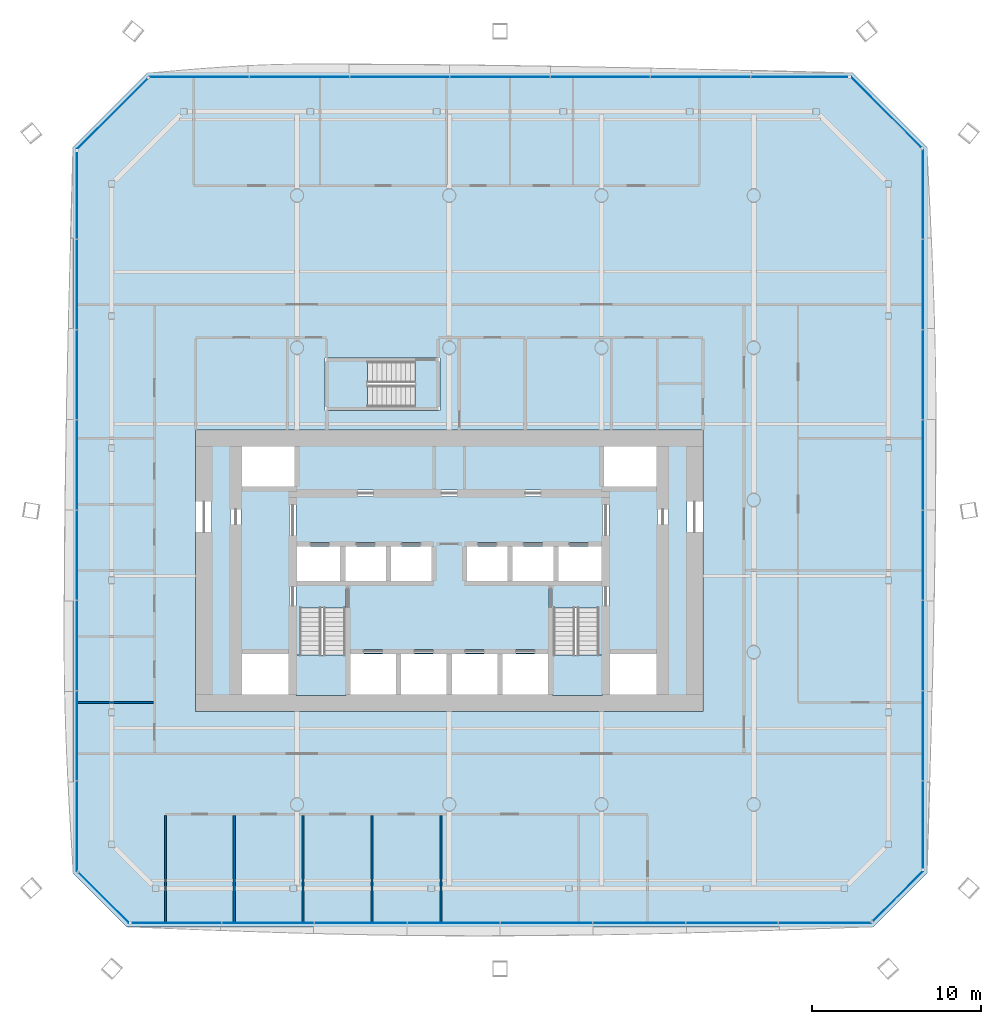
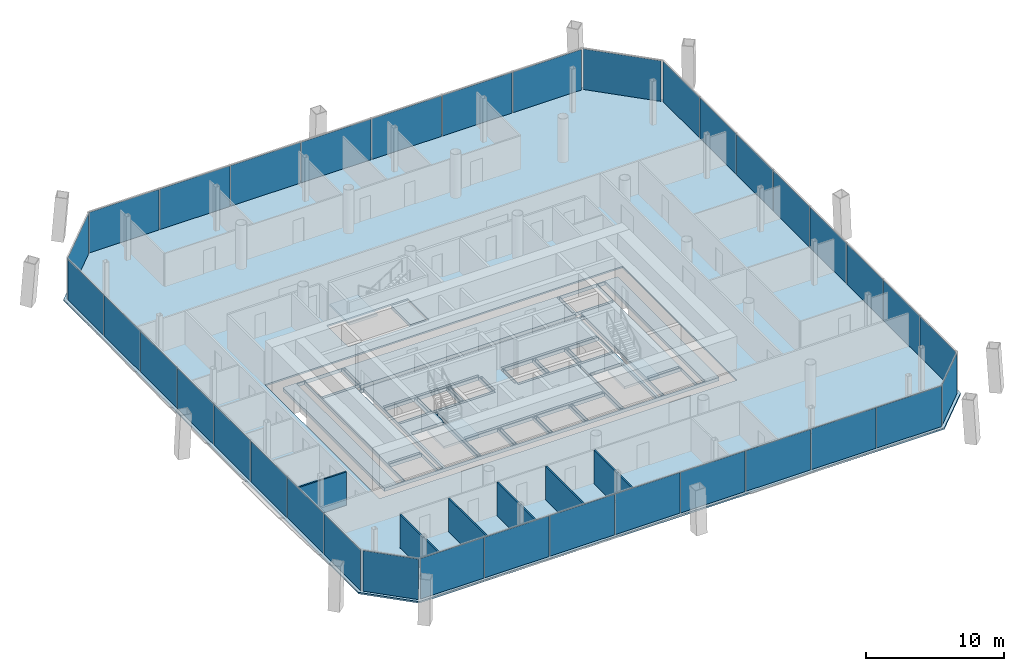
# One storey, part 10 of 19: 35 plates, 6 slabs, 6 walls, 11 elements without a shape of their own.
"""IFC4 building model written with IfcOpenShell, lengths in metres."""

from ifc_helpers import new_model, si_unit, direction, frame, frame_2d, origin, origin_2d, place, context, subcontext, project, spatial, polyline, rectangle, outline, extrude, material, layer, layer_set, type_object, element, aggregate, save


model = new_model("IFC4")

# Units and contexts
model_context = context("Model", 3, precision=1e-05, world=origin(), true_north=direction((0.0, 1.0)))
body_context = subcontext(model_context, "Body", "Model", "MODEL_VIEW")
ifc_project = project(units=[si_unit("LENGTHUNIT", "METRE"), si_unit("AREAUNIT", "SQUARE_METRE"), si_unit("VOLUMEUNIT", "CUBIC_METRE"), si_unit("PLANEANGLEUNIT", "RADIAN"), si_unit("MASSUNIT", "GRAM", prefix="KILO")], contexts=[model_context])

# Site, building, storey
site_placement = place(None, origin())
site = spatial("IfcSite", under=ifc_project, at=site_placement, CompositionType="ELEMENT")
building_placement = place(site_placement, origin())
building = spatial("IfcBuilding", under=site, at=building_placement, Name="Tskaro Facet Tower", CompositionType="ELEMENT")
storey_placement = place(building_placement, frame((0.0, 0.0, 81.60009765625)))
storey = spatial("IfcBuildingStorey", under=building, at=storey_placement, Name="L19", CompositionType="ELEMENT", Elevation=81.60009765625)

# Slab
ifc_material_1 = material(Name="Concrete C30/37", Category="concrete")
ifc_layer_1 = layer(ifc_material_1, 0.139892578125, Name="Concrete C30/37")
ifc_layer_set_1 = layer_set([ifc_layer_1], Name="Concrete C30/37")
slab_type_1 = type_object("IfcSlabType", Name="Composite deck floor slab", PredefinedType="FLOOR", material=ifc_layer_set_1)
slab_1_placement = place(storey_placement, frame((0.0, 0.0, -0.14013671875)))
element("IfcSlab", 1, at=slab_1_placement, inside=storey, type_object=slab_type_1, Name="Floor slab FS3 L19", PredefinedType="FLOOR", context=body_context, shape_type="SweptSolid", body=[
    extrude(outline(polyline([(-19.04296875, -25.260986328125), (25.04296875, -25.260986328125), (28.260986328125, -22.04296875), (28.260986328125, 20.847900390625), (23.847900390625, 25.260986328125), (-17.847900390625, 25.260986328125), (-22.260986328125, 20.847900390625), (-22.260986328125, -22.04296875), (-19.04296875, -25.260986328125)]), holes=[polyline([(-15.0, -12.5), (15.0, -12.5), (15.0, 4.14990234375), (-15.0, 4.14990234375), (-15.0, -12.5)]), polyline([(-7.35009765625, 5.300048828125), (-0.550048828125, 5.300048828125), (-0.550048828125, 8.39990234375), (-7.35009765625, 8.39990234375), (-7.35009765625, 5.300048828125)])]), origin(), (0.0, 0.0, 1.0), 0.14013671875),
])

# Curtain wall, plates
ifc_material_2 = material(Name="Bronze anodised aluminium 6063-T6", Category="aluminium")
curtain_wall_type = type_object("IfcCurtainWallType", Name="Bronze office curtain wall (FW1)", PredefinedType="NOTDEFINED", material=ifc_material_2)
curtain_wall_1_placement = place(storey_placement, origin())
curtain_wall_1 = element("IfcCurtainWall", 2, at=curtain_wall_1_placement, inside=storey, type_object=curtain_wall_type, Name="FW1 south facet L19", PredefinedType="NOTDEFINED")
ifc_material_3 = material(Name="Bronze tinted glass", Category="glass")
ifc_layer_2 = layer(ifc_material_3, 0.031982421875, Name="Bronze tinted glass")
ifc_layer_set_2 = layer_set([ifc_layer_2], Name="Bronze tinted glass")
plate_type = type_object("IfcPlateType", Name="FW1 bronze-tinted unit glazing 32", PredefinedType="CURTAIN_PANEL", material=ifc_layer_set_2)
plate_1_placement = place(storey_placement, frame((-16.131591796875, -25.010986328125, -0.000244140625), z_axis=(0.0, 0.0, 1.0), x_axis=(1.0, 0.0, 0.0)))
plate_1 = element("IfcPlate", 3, at=plate_1_placement, type_object=plate_type, Name="FW1 south glazing 1.1", PredefinedType="CURTAIN_PANEL", context=body_context, shape_type="SweptSolid", body=[
    extrude(rectangle(XDim=5.294677734375, YDim=0.031982421875, at=origin_2d()), origin(), (0.0, 0.0, 1.0), 3.60009765625),
])
plate_2_placement = place(storey_placement, frame((-10.7119140625, -25.010986328125, -0.000244140625), z_axis=(0.0, 0.0, 1.0), x_axis=(1.0, 0.0, 0.0)))
plate_2 = element("IfcPlate", 4, at=plate_2_placement, type_object=plate_type, Name="FW1 south glazing 2.1", PredefinedType="CURTAIN_PANEL", context=body_context, shape_type="SweptSolid", body=[
    extrude(rectangle(XDim=5.4248046875, YDim=0.031982421875, at=origin_2d()), origin(), (0.0, 0.0, 1.0), 3.60009765625),
])
plate_3_placement = place(storey_placement, frame((-5.22705078125, -25.010986328125, -0.000244140625), z_axis=(0.0, 0.0, 1.0), x_axis=(1.0, 0.0, 0.0)))
plate_3 = element("IfcPlate", 5, at=plate_3_placement, type_object=plate_type, Name="FW1 south glazing 3.1", PredefinedType="CURTAIN_PANEL", context=body_context, shape_type="SweptSolid", body=[
    extrude(rectangle(XDim=5.4248046875, YDim=0.031982421875, at=origin_2d()), origin(), (0.0, 0.0, 1.0), 3.60009765625),
])
plate_4_placement = place(storey_placement, frame((0.257568359375, -25.010986328125, -0.000244140625), z_axis=(0.0, 0.0, 1.0), x_axis=(1.0, 0.0, 0.0)))
plate_4 = element("IfcPlate", 6, at=plate_4_placement, type_object=plate_type, Name="FW1 south glazing 4.1", PredefinedType="CURTAIN_PANEL", context=body_context, shape_type="SweptSolid", body=[
    extrude(rectangle(XDim=5.4248046875, YDim=0.031982421875, at=origin_2d()), origin(), (0.0, 0.0, 1.0), 3.60009765625),
])
plate_5_placement = place(storey_placement, frame((5.742431640625, -25.010986328125, -0.000244140625), z_axis=(0.0, 0.0, 1.0), x_axis=(1.0, 0.0, 0.0)))
plate_5 = element("IfcPlate", 7, at=plate_5_placement, type_object=plate_type, Name="FW1 south glazing 5.1", PredefinedType="CURTAIN_PANEL", context=body_context, shape_type="SweptSolid", body=[
    extrude(rectangle(XDim=5.4248046875, YDim=0.031982421875, at=origin_2d()), origin(), (0.0, 0.0, 1.0), 3.60009765625),
])
plate_6_placement = place(storey_placement, frame((11.22705078125, -25.010986328125, -0.000244140625), z_axis=(0.0, 0.0, 1.0), x_axis=(1.0, 0.0, 0.0)))
plate_6 = element("IfcPlate", 8, at=plate_6_placement, type_object=plate_type, Name="FW1 south glazing 6.1", PredefinedType="CURTAIN_PANEL", context=body_context, shape_type="SweptSolid", body=[
    extrude(rectangle(XDim=5.4248046875, YDim=0.031982421875, at=origin_2d()), origin(), (0.0, 0.0, 1.0), 3.60009765625),
])
plate_7_placement = place(storey_placement, frame((16.7119140625, -25.010986328125, -0.000244140625), z_axis=(0.0, 0.0, 1.0), x_axis=(1.0, 0.0, 0.0)))
plate_7 = element("IfcPlate", 9, at=plate_7_placement, type_object=plate_type, Name="FW1 south glazing 7.1", PredefinedType="CURTAIN_PANEL", context=body_context, shape_type="SweptSolid", body=[
    extrude(rectangle(XDim=5.4248046875, YDim=0.031982421875, at=origin_2d()), origin(), (0.0, 0.0, 1.0), 3.60009765625),
])
plate_8_placement = place(storey_placement, frame((22.211669921875, -25.010986328125, -0.000244140625), z_axis=(0.0, 0.0, 1.0), x_axis=(1.0, 0.0, 0.0)))
plate_8 = element("IfcPlate", 10, at=plate_8_placement, type_object=plate_type, Name="FW1 south glazing 8.1", PredefinedType="CURTAIN_PANEL", context=body_context, shape_type="SweptSolid", body=[
    extrude(rectangle(XDim=5.454833984375, YDim=0.031982421875, at=origin_2d()), origin(), (0.0, 0.0, 1.0), 3.60009765625),
])
aggregate(curtain_wall_1, [plate_1, plate_2, plate_3, plate_4, plate_5, plate_6, plate_7, plate_8])

# Curtain wall, plate
curtain_wall_2_placement = place(storey_placement, origin())
curtain_wall_2 = element("IfcCurtainWall", 11, at=curtain_wall_2_placement, inside=storey, type_object=curtain_wall_type, Name="FW1 south-east facet L19", PredefinedType="NOTDEFINED")
plate_9_placement = place(storey_placement, frame((26.531494140625, -23.41845703125, -0.000244140625), z_axis=(0.0, 0.0, 1.0), x_axis=(0.707106781187, 0.707106781187, 0.0)))
plate_9 = element("IfcPlate", 12, at=plate_9_placement, type_object=plate_type, Name="FW1 south-east glazing 1.1", PredefinedType="CURTAIN_PANEL", context=body_context, shape_type="SweptSolid", body=[
    extrude(rectangle(XDim=4.1845703125, YDim=0.031982421875, at=origin_2d()), origin(), (0.0, 0.0, 1.0), 3.60009765625),
])
aggregate(curtain_wall_2, [plate_9])

# Curtain wall, plates
curtain_wall_3_placement = place(storey_placement, origin())
curtain_wall_3 = element("IfcCurtainWall", 13, at=curtain_wall_3_placement, inside=storey, type_object=curtain_wall_type, Name="FW1 east facet L19", PredefinedType="NOTDEFINED")
plate_10_placement = place(storey_placement, frame((28.010986328125, -19.206298828125, -0.000244140625), z_axis=(0.0, 0.0, 1.0), x_axis=(0.0, 1.0, 0.0)))
plate_10 = element("IfcPlate", 14, at=plate_10_placement, type_object=plate_type, Name="FW1 east glazing 1.1", PredefinedType="CURTAIN_PANEL", context=body_context, shape_type="SweptSolid", body=[
    extrude(rectangle(XDim=5.145263671875, YDim=0.031982421875, at=origin_2d()), origin(), (0.0, 0.0, 1.0), 3.60009765625),
])
plate_11_placement = place(storey_placement, frame((28.010986328125, -13.93603515625, -0.000244140625), z_axis=(0.0, 0.0, 1.0), x_axis=(0.0, 1.0, 0.0)))
plate_11 = element("IfcPlate", 15, at=plate_11_placement, type_object=plate_type, Name="FW1 east glazing 2.1", PredefinedType="CURTAIN_PANEL", context=body_context, shape_type="SweptSolid", body=[
    extrude(rectangle(XDim=5.275390625, YDim=0.031982421875, at=origin_2d()), origin(), (0.0, 0.0, 1.0), 3.60009765625),
])
plate_12_placement = place(storey_placement, frame((28.010986328125, -8.6005859375, -0.000244140625), z_axis=(0.0, 0.0, 1.0), x_axis=(0.0, 1.0, 0.0)))
plate_12 = element("IfcPlate", 16, at=plate_12_placement, type_object=plate_type, Name="FW1 east glazing 3.1", PredefinedType="CURTAIN_PANEL", context=body_context, shape_type="SweptSolid", body=[
    extrude(rectangle(XDim=5.275390625, YDim=0.031982421875, at=origin_2d()), origin(), (0.0, 0.0, 1.0), 3.60009765625),
])
plate_13_placement = place(storey_placement, frame((28.010986328125, -3.26513671875, -0.000244140625), z_axis=(0.0, 0.0, 1.0), x_axis=(0.0, 1.0, 0.0)))
plate_13 = element("IfcPlate", 17, at=plate_13_placement, type_object=plate_type, Name="FW1 east glazing 4.1", PredefinedType="CURTAIN_PANEL", context=body_context, shape_type="SweptSolid", body=[
    extrude(rectangle(XDim=5.275390625, YDim=0.031982421875, at=origin_2d()), origin(), (0.0, 0.0, 1.0), 3.60009765625),
])
plate_14_placement = place(storey_placement, frame((28.010986328125, 2.070068359375, -0.000244140625), z_axis=(0.0, 0.0, 1.0), x_axis=(0.0, 1.0, 0.0)))
plate_14 = element("IfcPlate", 18, at=plate_14_placement, type_object=plate_type, Name="FW1 east glazing 5.1", PredefinedType="CURTAIN_PANEL", context=body_context, shape_type="SweptSolid", body=[
    extrude(rectangle(XDim=5.275390625, YDim=0.031982421875, at=origin_2d()), origin(), (0.0, 0.0, 1.0), 3.60009765625),
])
plate_15_placement = place(storey_placement, frame((28.010986328125, 7.405517578125, -0.000244140625), z_axis=(0.0, 0.0, 1.0), x_axis=(0.0, 1.0, 0.0)))
plate_15 = element("IfcPlate", 19, at=plate_15_placement, type_object=plate_type, Name="FW1 east glazing 6.1", PredefinedType="CURTAIN_PANEL", context=body_context, shape_type="SweptSolid", body=[
    extrude(rectangle(XDim=5.275390625, YDim=0.031982421875, at=origin_2d()), origin(), (0.0, 0.0, 1.0), 3.60009765625),
])
plate_16_placement = place(storey_placement, frame((28.010986328125, 12.740966796875, -0.000244140625), z_axis=(0.0, 0.0, 1.0), x_axis=(0.0, 1.0, 0.0)))
plate_16 = element("IfcPlate", 20, at=plate_16_placement, type_object=plate_type, Name="FW1 east glazing 7.1", PredefinedType="CURTAIN_PANEL", context=body_context, shape_type="SweptSolid", body=[
    extrude(rectangle(XDim=5.275390625, YDim=0.031982421875, at=origin_2d()), origin(), (0.0, 0.0, 1.0), 3.60009765625),
])
plate_17_placement = place(storey_placement, frame((28.010986328125, 18.09130859375, -0.000244140625), z_axis=(0.0, 0.0, 1.0), x_axis=(0.0, 1.0, 0.0)))
plate_17 = element("IfcPlate", 21, at=plate_17_placement, type_object=plate_type, Name="FW1 east glazing 8.1", PredefinedType="CURTAIN_PANEL", context=body_context, shape_type="SweptSolid", body=[
    extrude(rectangle(XDim=5.305419921875, YDim=0.031982421875, at=origin_2d()), origin(), (0.0, 0.0, 1.0), 3.60009765625),
])
aggregate(curtain_wall_3, [plate_10, plate_11, plate_12, plate_13, plate_14, plate_15, plate_16, plate_17])

# Curtain wall, plate
curtain_wall_4_placement = place(storey_placement, origin())
curtain_wall_4 = element("IfcCurtainWall", 22, at=curtain_wall_4_placement, inside=storey, type_object=curtain_wall_type, Name="FW1 north-east facet L19", PredefinedType="NOTDEFINED")
plate_18_placement = place(storey_placement, frame((25.821044921875, 22.93408203125, -0.000244140625), z_axis=(0.0, 0.0, 1.0), x_axis=(-0.707106781187, 0.707106781187, 0.0)))
plate_18 = element("IfcPlate", 23, at=plate_18_placement, type_object=plate_type, Name="FW1 north-east glazing 1.1", PredefinedType="CURTAIN_PANEL", context=body_context, shape_type="SweptSolid", body=[
    extrude(rectangle(XDim=5.87451171875, YDim=0.031982421875, at=origin_2d()), origin(), (0.0, 0.0, 1.0), 3.60009765625),
])
aggregate(curtain_wall_4, [plate_18])

# Curtain wall, plates
curtain_wall_5_placement = place(storey_placement, origin())
curtain_wall_5 = element("IfcCurtainWall", 24, at=curtain_wall_5_placement, inside=storey, type_object=curtain_wall_type, Name="FW1 north facet L19", PredefinedType="NOTDEFINED")
plate_19_placement = place(storey_placement, frame((20.715576171875, 25.010986328125, -0.000244140625), z_axis=(0.0, 0.0, 1.0), x_axis=(-1.0, 0.0, 0.0)))
plate_19 = element("IfcPlate", 25, at=plate_19_placement, type_object=plate_type, Name="FW1 north glazing 1.1", PredefinedType="CURTAIN_PANEL", context=body_context, shape_type="SweptSolid", body=[
    extrude(rectangle(XDim=5.73681640625, YDim=0.031982421875, at=origin_2d()), origin(), (0.0, 0.0, 1.0), 3.60009765625),
])
plate_20_placement = place(storey_placement, frame((14.853759765625, 25.010986328125, -0.000244140625), z_axis=(0.0, 0.0, 1.0), x_axis=(-1.0, 0.0, 0.0)))
plate_20 = element("IfcPlate", 26, at=plate_20_placement, type_object=plate_type, Name="FW1 north glazing 2.1", PredefinedType="CURTAIN_PANEL", context=body_context, shape_type="SweptSolid", body=[
    extrude(rectangle(XDim=5.866943359375, YDim=0.031982421875, at=origin_2d()), origin(), (0.0, 0.0, 1.0), 3.60009765625),
])
plate_21_placement = place(storey_placement, frame((8.9267578125, 25.010986328125, -0.000244140625), z_axis=(0.0, 0.0, 1.0), x_axis=(-1.0, 0.0, 0.0)))
plate_21 = element("IfcPlate", 27, at=plate_21_placement, type_object=plate_type, Name="FW1 north glazing 3.1", PredefinedType="CURTAIN_PANEL", context=body_context, shape_type="SweptSolid", body=[
    extrude(rectangle(XDim=5.866943359375, YDim=0.031982421875, at=origin_2d()), origin(), (0.0, 0.0, 1.0), 3.60009765625),
])
plate_22_placement = place(storey_placement, frame((3.0, 25.010986328125, -0.000244140625), z_axis=(0.0, 0.0, 1.0), x_axis=(-1.0, 0.0, 0.0)))
plate_22 = element("IfcPlate", 28, at=plate_22_placement, type_object=plate_type, Name="FW1 north glazing 4.1", PredefinedType="CURTAIN_PANEL", context=body_context, shape_type="SweptSolid", body=[
    extrude(rectangle(XDim=5.866943359375, YDim=0.031982421875, at=origin_2d()), origin(), (0.0, 0.0, 1.0), 3.60009765625),
])
plate_23_placement = place(storey_placement, frame((-2.9267578125, 25.010986328125, -0.000244140625), z_axis=(0.0, 0.0, 1.0), x_axis=(-1.0, 0.0, 0.0)))
plate_23 = element("IfcPlate", 29, at=plate_23_placement, type_object=plate_type, Name="FW1 north glazing 5.1", PredefinedType="CURTAIN_PANEL", context=body_context, shape_type="SweptSolid", body=[
    extrude(rectangle(XDim=5.866943359375, YDim=0.031982421875, at=origin_2d()), origin(), (0.0, 0.0, 1.0), 3.60009765625),
])
plate_24_placement = place(storey_placement, frame((-8.853759765625, 25.010986328125, -0.000244140625), z_axis=(0.0, 0.0, 1.0), x_axis=(-1.0, 0.0, 0.0)))
plate_24 = element("IfcPlate", 30, at=plate_24_placement, type_object=plate_type, Name="FW1 north glazing 6.1", PredefinedType="CURTAIN_PANEL", context=body_context, shape_type="SweptSolid", body=[
    extrude(rectangle(XDim=5.866943359375, YDim=0.031982421875, at=origin_2d()), origin(), (0.0, 0.0, 1.0), 3.60009765625),
])
plate_25_placement = place(storey_placement, frame((-14.795654296875, 25.010986328125, -0.000244140625), z_axis=(0.0, 0.0, 1.0), x_axis=(-1.0, 0.0, 0.0)))
plate_25 = element("IfcPlate", 31, at=plate_25_placement, type_object=plate_type, Name="FW1 north glazing 7.1", PredefinedType="CURTAIN_PANEL", context=body_context, shape_type="SweptSolid", body=[
    extrude(rectangle(XDim=5.89697265625, YDim=0.031982421875, at=origin_2d()), origin(), (0.0, 0.0, 1.0), 3.60009765625),
])
aggregate(curtain_wall_5, [plate_19, plate_20, plate_21, plate_22, plate_23, plate_24, plate_25])

# Curtain wall, plate
curtain_wall_6_placement = place(storey_placement, origin())
curtain_wall_6 = element("IfcCurtainWall", 32, at=curtain_wall_6_placement, inside=storey, type_object=curtain_wall_type, Name="FW1 north-west facet L19", PredefinedType="NOTDEFINED")
plate_26_placement = place(storey_placement, frame((-19.93408203125, 22.821044921875, -0.000244140625), z_axis=(0.0, 0.0, 1.0), x_axis=(-0.707106781187, -0.707106781187, 0.0)))
plate_26 = element("IfcPlate", 33, at=plate_26_placement, type_object=plate_type, Name="FW1 north-west glazing 1.1", PredefinedType="CURTAIN_PANEL", context=body_context, shape_type="SweptSolid", body=[
    extrude(rectangle(XDim=5.87451171875, YDim=0.031982421875, at=origin_2d()), origin(), (0.0, 0.0, 1.0), 3.60009765625),
])
aggregate(curtain_wall_6, [plate_26])

# Curtain wall, plates
curtain_wall_7_placement = place(storey_placement, origin())
curtain_wall_7 = element("IfcCurtainWall", 34, at=curtain_wall_7_placement, inside=storey, type_object=curtain_wall_type, Name="FW1 west facet L19", PredefinedType="NOTDEFINED")
plate_27_placement = place(storey_placement, frame((-22.010986328125, 18.01123046875, -0.000244140625), z_axis=(0.0, 0.0, 1.0), x_axis=(0.0, -1.0, 0.0)))
plate_27 = element("IfcPlate", 35, at=plate_27_placement, type_object=plate_type, Name="FW1 west glazing 1.1", PredefinedType="CURTAIN_PANEL", context=body_context, shape_type="SweptSolid", body=[
    extrude(rectangle(XDim=5.145263671875, YDim=0.031982421875, at=origin_2d()), origin(), (0.0, 0.0, 1.0), 3.60009765625),
])
plate_28_placement = place(storey_placement, frame((-22.010986328125, 12.740966796875, -0.000244140625), z_axis=(0.0, 0.0, 1.0), x_axis=(0.0, -1.0, 0.0)))
plate_28 = element("IfcPlate", 36, at=plate_28_placement, type_object=plate_type, Name="FW1 west glazing 2.1", PredefinedType="CURTAIN_PANEL", context=body_context, shape_type="SweptSolid", body=[
    extrude(rectangle(XDim=5.275390625, YDim=0.031982421875, at=origin_2d()), origin(), (0.0, 0.0, 1.0), 3.60009765625),
])
plate_29_placement = place(storey_placement, frame((-22.010986328125, 7.405517578125, -0.000244140625), z_axis=(0.0, 0.0, 1.0), x_axis=(0.0, -1.0, 0.0)))
plate_29 = element("IfcPlate", 37, at=plate_29_placement, type_object=plate_type, Name="FW1 west glazing 3.1", PredefinedType="CURTAIN_PANEL", context=body_context, shape_type="SweptSolid", body=[
    extrude(rectangle(XDim=5.275390625, YDim=0.031982421875, at=origin_2d()), origin(), (0.0, 0.0, 1.0), 3.60009765625),
])
plate_30_placement = place(storey_placement, frame((-22.010986328125, 2.070068359375, -0.000244140625), z_axis=(0.0, 0.0, 1.0), x_axis=(0.0, -1.0, 0.0)))
plate_30 = element("IfcPlate", 38, at=plate_30_placement, type_object=plate_type, Name="FW1 west glazing 4.1", PredefinedType="CURTAIN_PANEL", context=body_context, shape_type="SweptSolid", body=[
    extrude(rectangle(XDim=5.275390625, YDim=0.031982421875, at=origin_2d()), origin(), (0.0, 0.0, 1.0), 3.60009765625),
])
plate_31_placement = place(storey_placement, frame((-22.010986328125, -3.26513671875, -0.000244140625), z_axis=(0.0, 0.0, 1.0), x_axis=(0.0, -1.0, 0.0)))
plate_31 = element("IfcPlate", 39, at=plate_31_placement, type_object=plate_type, Name="FW1 west glazing 5.1", PredefinedType="CURTAIN_PANEL", context=body_context, shape_type="SweptSolid", body=[
    extrude(rectangle(XDim=5.275390625, YDim=0.031982421875, at=origin_2d()), origin(), (0.0, 0.0, 1.0), 3.60009765625),
])
plate_32_placement = place(storey_placement, frame((-22.010986328125, -8.6005859375, -0.000244140625), z_axis=(0.0, 0.0, 1.0), x_axis=(0.0, -1.0, 0.0)))
plate_32 = element("IfcPlate", 40, at=plate_32_placement, type_object=plate_type, Name="FW1 west glazing 6.1", PredefinedType="CURTAIN_PANEL", context=body_context, shape_type="SweptSolid", body=[
    extrude(rectangle(XDim=5.275390625, YDim=0.031982421875, at=origin_2d()), origin(), (0.0, 0.0, 1.0), 3.60009765625),
])
plate_33_placement = place(storey_placement, frame((-22.010986328125, -13.93603515625, -0.000244140625), z_axis=(0.0, 0.0, 1.0), x_axis=(0.0, -1.0, 0.0)))
plate_33 = element("IfcPlate", 41, at=plate_33_placement, type_object=plate_type, Name="FW1 west glazing 7.1", PredefinedType="CURTAIN_PANEL", context=body_context, shape_type="SweptSolid", body=[
    extrude(rectangle(XDim=5.275390625, YDim=0.031982421875, at=origin_2d()), origin(), (0.0, 0.0, 1.0), 3.60009765625),
])
plate_34_placement = place(storey_placement, frame((-22.010986328125, -19.286376953125, -0.000244140625), z_axis=(0.0, 0.0, 1.0), x_axis=(0.0, -1.0, 0.0)))
plate_34 = element("IfcPlate", 42, at=plate_34_placement, type_object=plate_type, Name="FW1 west glazing 8.1", PredefinedType="CURTAIN_PANEL", context=body_context, shape_type="SweptSolid", body=[
    extrude(rectangle(XDim=5.305419921875, YDim=0.031982421875, at=origin_2d()), origin(), (0.0, 0.0, 1.0), 3.60009765625),
])
aggregate(curtain_wall_7, [plate_27, plate_28, plate_29, plate_30, plate_31, plate_32, plate_33, plate_34])

# Curtain wall, plate
curtain_wall_8_placement = place(storey_placement, origin())
curtain_wall_8 = element("IfcCurtainWall", 43, at=curtain_wall_8_placement, inside=storey, type_object=curtain_wall_type, Name="FW1 south-west facet L19", PredefinedType="NOTDEFINED")
plate_35_placement = place(storey_placement, frame((-20.41845703125, -23.531494140625, -0.000244140625), z_axis=(0.0, 0.0, 1.0), x_axis=(0.707106781187, -0.707106781187, 0.0)))
plate_35 = element("IfcPlate", 44, at=plate_35_placement, type_object=plate_type, Name="FW1 south-west glazing 1.1", PredefinedType="CURTAIN_PANEL", context=body_context, shape_type="SweptSolid", body=[
    extrude(rectangle(XDim=4.1845703125, YDim=0.031982421875, at=origin_2d()), origin(), (0.0, 0.0, 1.0), 3.60009765625),
])
aggregate(curtain_wall_8, [plate_35])

# Stair, slab
ifc_material_4 = material(Name="Concrete C40/50", Category="concrete")
stair_type = type_object("IfcStairType", Name="ST-TWR", PredefinedType="HALF_TURN_STAIR", material=ifc_material_4)
stair_1_placement = place(storey_placement, origin())
stair_1 = element("IfcStair", 45, at=stair_1_placement, inside=storey, type_object=stair_type, Name="L19 Exit stair 1", PredefinedType="HALF_TURN_STAIR")
ifc_layer_3 = layer(ifc_material_4, 0.199951171875, Name="Concrete C40/50")
ifc_layer_set_3 = layer_set([ifc_layer_3], Name="Concrete C40/50")
slab_type_2 = type_object("IfcSlabType", Name="SL-LANDING", PredefinedType="LANDING", material=ifc_layer_set_3)
slab_2_placement = place(storey_placement, frame((0.0, 0.0, 1.75)))
slab_2 = element("IfcSlab", 46, at=slab_2_placement, type_object=slab_type_2, Name="ST-1 landing 1", PredefinedType="LANDING", context=body_context, shape_type="SweptSolid", body=[
    extrude(outline(polyline([(-9.050048828125, -11.550048828125), (-6.10009765625, -11.550048828125), (-6.10009765625, -9.175048828125), (-9.050048828125, -9.175048828125), (-9.050048828125, -11.550048828125)])), origin(), (0.0, 0.0, 1.0), 0.199951171875),
])
aggregate(stair_1, [slab_2])

stair_2_placement = place(storey_placement, origin())
stair_2 = element("IfcStair", 47, at=stair_2_placement, inside=storey, type_object=stair_type, Name="L19 Exit stair 2", PredefinedType="HALF_TURN_STAIR")
slab_3_placement = place(storey_placement, frame((0.0, 0.0, 1.75)))
slab_3 = element("IfcSlab", 48, at=slab_3_placement, type_object=slab_type_2, Name="ST-2 landing 1", PredefinedType="LANDING", context=body_context, shape_type="SweptSolid", body=[
    extrude(outline(polyline([(6.10009765625, -11.550048828125), (9.050048828125, -11.550048828125), (9.050048828125, -9.175048828125), (6.10009765625, -9.175048828125), (6.10009765625, -11.550048828125)])), origin(), (0.0, 0.0, 1.0), 0.199951171875),
])
aggregate(stair_2, [slab_3])

stair_3_placement = place(storey_placement, origin())
stair_3 = element("IfcStair", 49, at=stair_3_placement, inside=storey, type_object=stair_type, Name="L19 Exit stair 3", PredefinedType="HALF_TURN_STAIR")
slab_4_placement = place(storey_placement, frame((0.0, 0.0, 1.75)))
slab_4 = element("IfcSlab", 50, at=slab_4_placement, type_object=slab_type_2, Name="ST-3 landing 1", PredefinedType="LANDING", context=body_context, shape_type="SweptSolid", body=[
    extrude(outline(polyline([(-7.199951171875, 5.449951171875), (-4.824951171875, 5.449951171875), (-4.824951171875, 8.25), (-7.199951171875, 8.25), (-7.199951171875, 5.449951171875)])), origin(), (0.0, 0.0, 1.0), 0.199951171875),
])
aggregate(stair_3, [slab_4])

# Slabs
ifc_material_5 = material(Name="Concrete C60/75", Category="concrete")
ifc_layer_4 = layer(ifc_material_5, 0.300048828125, Name="Concrete C60/75")
ifc_layer_set_4 = layer_set([ifc_layer_4], Name="Concrete C60/75")
slab_type_3 = type_object("IfcSlabType", Name="SLAB-CORE", PredefinedType="FLOOR", material=ifc_layer_set_4)
slab_5_placement = place(storey_placement, frame((0.0, 0.0, -0.300048828125)))
element("IfcSlab", 51, at=slab_5_placement, inside=storey, type_object=slab_type_3, Name="Core floor slab 1", PredefinedType="FLOOR", context=body_context, shape_type="SweptSolid", body=[
    extrude(outline(polyline([(-14.050048828125, 3.199951171875), (14.050048828125, 3.199951171875), (14.050048828125, 3.10009765625), (14.050048828125, -11.449951171875), (14.050048828125, -11.550048828125), (-14.050048828125, -11.550048828125), (-14.050048828125, -11.449951171875), (-14.050048828125, 3.10009765625), (-14.050048828125, 3.199951171875)]), holes=[polyline([(-9.5, -9.10009765625), (-12.25, -9.10009765625), (-12.25, -11.5), (-9.5, -11.5), (-9.5, -9.10009765625)]), polyline([(-3.14990234375, -9.10009765625), (-5.85009765625, -9.10009765625), (-5.85009765625, -11.5), (-3.14990234375, -11.5), (-3.14990234375, -9.10009765625)]), polyline([(-12.199951171875, -8.85009765625), (-12.199951171875, -9.050048828125), (-9.550048828125, -9.050048828125), (-9.550048828125, -8.85009765625), (-12.199951171875, -8.85009765625)]), polyline([(-6.10009765625, -11.449951171875), (-5.89990234375, -11.449951171875), (-5.89990234375, -5.14990234375), (-6.10009765625, -5.14990234375), (-6.10009765625, -11.449951171875)]), polyline([(-9.449951171875, 0.10009765625), (-9.449951171875, -11.449951171875), (-9.050048828125, -11.449951171875), (-9.050048828125, 0.10009765625), (-9.449951171875, 0.10009765625)]), polyline([(-8.949951171875, -4.85009765625), (-8.949951171875, -5.050048828125), (-0.949951171875, -5.050048828125), (-0.949951171875, -4.85009765625), (-8.949951171875, -4.85009765625)]), polyline([(-12.949951171875, -11.449951171875), (-12.300048828125, -11.449951171875), (-12.300048828125, 3.10009765625), (-12.949951171875, 3.10009765625), (-12.949951171875, -11.449951171875)]), polyline([(-6.449951171875, -4.800048828125), (-6.449951171875, -2.75), (-9.0, -2.75), (-9.0, -4.800048828125), (-6.449951171875, -4.800048828125)]), polyline([(-3.75, -2.75), (-6.14990234375, -2.75), (-6.14990234375, -4.800048828125), (-3.75, -4.800048828125), (-3.75, -2.75)]), polyline([(-6.39990234375, -2.800048828125), (-6.39990234375, -4.75), (-6.199951171875, -4.75), (-6.199951171875, -2.800048828125), (-6.39990234375, -2.800048828125)]), polyline([(-8.949951171875, -2.5), (-8.949951171875, -2.699951171875), (-0.949951171875, -2.699951171875), (-0.949951171875, -2.5), (-8.949951171875, -2.5)]), polyline([(9.449951171875, 0.550048828125), (12.199951171875, 0.550048828125), (12.199951171875, 0.75), (9.050048828125, 0.75), (9.050048828125, 0.60009765625), (-9.050048828125, 0.60009765625), (-9.050048828125, 0.75), (-12.199951171875, 0.75), (-12.199951171875, 0.550048828125), (-9.449951171875, 0.550048828125), (-9.449951171875, 0.199951171875), (9.449951171875, 0.199951171875), (9.449951171875, 0.550048828125)]), polyline([(-9.10009765625, 3.10009765625), (-9.10009765625, 0.85009765625), (-8.89990234375, 0.85009765625), (-8.89990234375, 3.10009765625), (-9.10009765625, 3.10009765625)]), polyline([(-9.14990234375, 0.800048828125), (-9.14990234375, 3.14990234375), (-12.25, 3.14990234375), (-12.25, 0.800048828125), (-9.14990234375, 0.800048828125)]), polyline([(2.89990234375, -11.449951171875), (3.10009765625, -11.449951171875), (3.10009765625, -9.14990234375), (2.89990234375, -9.14990234375), (2.89990234375, -11.449951171875)]), polyline([(-3.10009765625, -9.14990234375), (-3.10009765625, -11.449951171875), (-2.89990234375, -11.449951171875), (-2.89990234375, -9.14990234375), (-3.10009765625, -9.14990234375)]), polyline([(2.85009765625, -9.10009765625), (0.14990234375, -9.10009765625), (0.14990234375, -11.5), (2.85009765625, -11.5), (2.85009765625, -9.10009765625)]), polyline([(-0.14990234375, -9.10009765625), (-2.85009765625, -9.10009765625), (-2.85009765625, -11.5), (-0.14990234375, -11.5), (-0.14990234375, -9.10009765625)]), polyline([(-0.10009765625, -9.14990234375), (-0.10009765625, -11.449951171875), (0.10009765625, -11.449951171875), (0.10009765625, -9.14990234375), (-0.10009765625, -9.14990234375)]), polyline([(-5.800048828125, -8.85009765625), (-5.800048828125, -9.050048828125), (5.800048828125, -9.050048828125), (5.800048828125, -8.85009765625), (-5.800048828125, -8.85009765625)]), polyline([(-1.0, -2.800048828125), (-1.0, -4.75), (-0.800048828125, -4.75), (-0.800048828125, -2.800048828125), (-1.0, -2.800048828125)]), polyline([(0.800048828125, -4.75), (1.0, -4.75), (1.0, -2.800048828125), (0.800048828125, -2.800048828125), (0.800048828125, -4.75)]), polyline([(-1.050048828125, -4.800048828125), (-1.050048828125, -2.75), (-3.449951171875, -2.75), (-3.449951171875, -4.800048828125), (-1.050048828125, -4.800048828125)]), polyline([(1.050048828125, -2.75), (1.050048828125, -4.800048828125), (3.449951171875, -4.800048828125), (3.449951171875, -2.75), (1.050048828125, -2.75)]), polyline([(-3.699951171875, -4.75), (-3.5, -4.75), (-3.5, -2.800048828125), (-3.699951171875, -2.800048828125), (-3.699951171875, -4.75)]), polyline([(3.14990234375, -9.10009765625), (3.14990234375, -11.5), (5.85009765625, -11.5), (5.85009765625, -9.10009765625), (3.14990234375, -9.10009765625)]), polyline([(12.25, -11.5), (12.25, -9.10009765625), (9.5, -9.10009765625), (9.5, -11.5), (12.25, -11.5)]), polyline([(9.550048828125, -8.85009765625), (9.550048828125, -9.050048828125), (12.199951171875, -9.050048828125), (12.199951171875, -8.85009765625), (9.550048828125, -8.85009765625)]), polyline([(5.89990234375, -11.449951171875), (6.10009765625, -11.449951171875), (6.10009765625, -5.14990234375), (5.89990234375, -5.14990234375), (5.89990234375, -11.449951171875)]), polyline([(9.050048828125, 0.10009765625), (9.050048828125, -11.449951171875), (9.449951171875, -11.449951171875), (9.449951171875, 0.10009765625), (9.050048828125, 0.10009765625)]), polyline([(0.949951171875, -4.85009765625), (0.949951171875, -5.050048828125), (8.949951171875, -5.050048828125), (8.949951171875, -4.85009765625), (0.949951171875, -4.85009765625)]), polyline([(12.300048828125, -11.449951171875), (12.949951171875, -11.449951171875), (12.949951171875, 3.10009765625), (12.300048828125, 3.10009765625), (12.300048828125, -11.449951171875)]), polyline([(3.5, -2.800048828125), (3.5, -4.75), (3.699951171875, -4.75), (3.699951171875, -2.800048828125), (3.5, -2.800048828125)]), polyline([(6.14990234375, -2.75), (3.75, -2.75), (3.75, -4.800048828125), (6.14990234375, -4.800048828125), (6.14990234375, -2.75)]), polyline([(6.199951171875, -2.800048828125), (6.199951171875, -4.75), (6.39990234375, -4.75), (6.39990234375, -2.800048828125), (6.199951171875, -2.800048828125)]), polyline([(6.449951171875, -2.75), (6.449951171875, -4.800048828125), (9.0, -4.800048828125), (9.0, -2.75), (6.449951171875, -2.75)]), polyline([(0.949951171875, -2.5), (0.949951171875, -2.699951171875), (8.949951171875, -2.699951171875), (8.949951171875, -2.5), (0.949951171875, -2.5)]), polyline([(8.89990234375, 3.10009765625), (8.89990234375, 0.85009765625), (9.10009765625, 0.85009765625), (9.10009765625, 3.10009765625), (8.89990234375, 3.10009765625)]), polyline([(9.14990234375, 0.800048828125), (12.25, 0.800048828125), (12.25, 3.14990234375), (9.14990234375, 3.14990234375), (9.14990234375, 0.800048828125)]), polyline([(-8.85009765625, -11.5), (-6.14990234375, -11.5), (-6.14990234375, -6.39501953125), (-8.85009765625, -6.39501953125), (-8.85009765625, -11.5)]), polyline([(6.14990234375, -6.39501953125), (6.14990234375, -11.5), (8.85009765625, -11.5), (8.85009765625, -6.39501953125), (6.14990234375, -6.39501953125)])]), origin(), (0.0, 0.0, 1.0), 0.300048828125),
])
slab_6_placement = place(storey_placement, frame((0.0, 0.0, -0.300048828125)))
element("IfcSlab", 52, at=slab_6_placement, inside=storey, type_object=slab_type_3, Name="Stair 3 floor landing 1", PredefinedType="FLOOR", context=body_context, shape_type="SweptSolid", body=[
    extrude(outline(polyline([(-2.02490234375, 5.449951171875), (-0.699951171875, 5.449951171875), (-0.699951171875, 8.25), (-2.02490234375, 8.25), (-2.02490234375, 5.449951171875)])), origin(), (0.0, 0.0, 1.0), 0.300048828125),
])

# Walls
ifc_material_6 = material(Name="Gypsum board on steel studs", Category="steel")
ifc_layer_5 = layer(ifc_material_6, 0.125, Name="Gypsum board on steel studs")
ifc_layer_set_5 = layer_set([ifc_layer_5], Name="Gypsum board on steel studs")
wall_type = type_object("IfcWallType", Name="PART", PredefinedType="PARTITIONING", material=ifc_layer_set_5)
wall_placement = place(storey_placement, frame((-21.9609375, -11.972900390625, 0.0), z_axis=(0.0, 0.0, 1.0), x_axis=(1.0, 0.0, 0.0)))
element("IfcWall", 53, at=wall_placement, inside=storey, type_object=wall_type, Name="Partition W003", PredefinedType="PARTITIONING", context=body_context, shape_type="SweptSolid", body=[
    extrude(rectangle(XDim=4.4609375, YDim=0.125, at=frame_2d((2.23046875, 0.0))), origin(), (0.0, 0.0, 1.0), 2.9599609375),
])
for number, where, z_axis, x_axis, name in (
    (54, (-16.783935546875, -24.9609375, 0.0), (0.0, 0.0, 1.0), (0.0, 1.0, 0.0), "Partition W031"),
    (55, (-12.7109375, -24.9609375, 0.0), (0.0, 0.0, 1.0), (0.0, 1.0, 0.0), "Partition W034"),
    (56, (-8.637939453125, -24.9609375, 0.0), (0.0, 0.0, 1.0), (0.0, 1.0, 0.0), "Partition W037"),
    (57, (-4.56591796875, -24.9609375, 0.0), (0.0, 0.0, 1.0), (0.0, 1.0, 0.0), "Partition W044"),
    (58, (-0.492919921875, -24.9609375, 0.0), (0.0, 0.0, 1.0), (0.0, 1.0, 0.0), "Partition W051"),
):
    element("IfcWall", number, at=place(storey_placement, frame(where, z_axis=z_axis, x_axis=x_axis)), inside=storey, type_object=wall_type, Name=name, PredefinedType="PARTITIONING", context=body_context, shape_type="SweptSolid", body=[
        extrude(rectangle(XDim=6.318359375, YDim=0.125, at=frame_2d((3.1591796875, 0.0))), origin(), (0.0, 0.0, 1.0), 2.9599609375),
    ])

save(model, "model.ifc")
